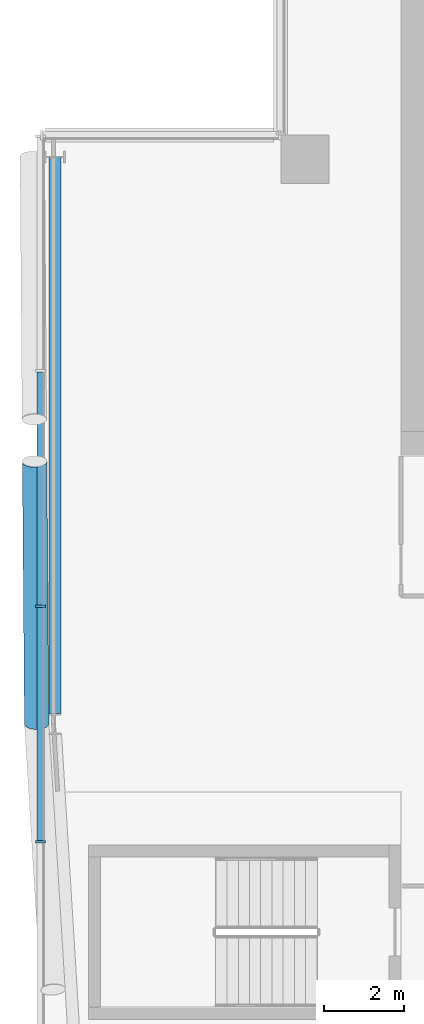
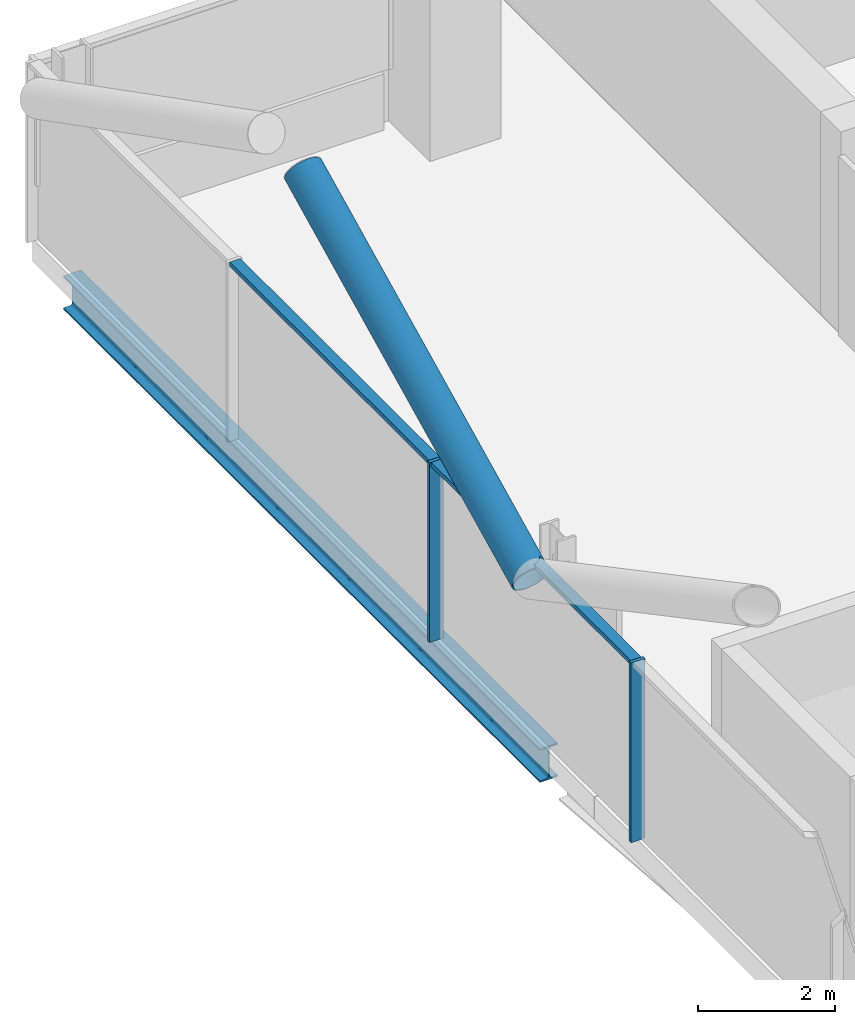
# One storey, part 7 of 27: 5 members, 1 beam, 1 element without a shape of its own.
"""IFC4 building model written with IfcOpenShell, lengths in metres."""

from ifc_helpers import new_model, si_unit, direction, frame, origin, origin_2d, place, context, subcontext, project, spatial, rectangle, hollow_circle, i_section, extrude, material, material_profile, profile_set, type_object, element, aggregate, save


model = new_model("IFC4")

# Units and contexts
model_context = context("Model", 3, precision=1e-05, world=origin(), true_north=direction((0.0, 1.0)))
body_context = subcontext(model_context, "Body", "Model", "MODEL_VIEW")
ifc_project = project(units=[si_unit("LENGTHUNIT", "METRE"), si_unit("AREAUNIT", "SQUARE_METRE"), si_unit("VOLUMEUNIT", "CUBIC_METRE"), si_unit("PLANEANGLEUNIT", "RADIAN"), si_unit("MASSUNIT", "GRAM", prefix="KILO")], contexts=[model_context])

# Site, building, storey
site_placement = place(None, origin())
site = spatial("IfcSite", under=ifc_project, at=site_placement, CompositionType="ELEMENT")
building_placement = place(site_placement, origin())
building = spatial("IfcBuilding", under=site, at=building_placement, Name="Wharfspan Tower", CompositionType="ELEMENT")
storey_placement = place(building_placement, frame((0.0, 0.0, 210.699951)))
storey = spatial("IfcBuildingStorey", under=building, at=storey_placement, Name="L52", CompositionType="ELEMENT", Elevation=210.699951)

# Beam
ifc_material_1 = material(Name="Steel S355J2", Category="steel")
ifc_material_profile_1 = material_profile(ifc_material_1, i_section(OverallWidth=0.300049, OverallDepth=0.600098, WebThickness=0.015381, FlangeThickness=0.030029, FilletRadius=0.0271, at=origin_2d()))
ifc_profile_set_1 = profile_set([ifc_material_profile_1], Name="Steel S355J2")
beam_type = type_object("IfcBeamType", Name="Edge beam HEB 600", PredefinedType="SPANDREL", material=ifc_profile_set_1)
beam_placement = place(storey_placement, frame((14.356934, 41.453125, -0.699951), z_axis=(0.000211, -1.0, 0.0), x_axis=(1.0, 0.000211, 0.0)))
element("IfcBeam", 1, at=beam_placement, inside=storey, type_object=beam_type, Name="Edge beam W L52 PNRW-H.1 to PW.1", PredefinedType="SPANDREL", context=body_context, shape_type="SweptSolid", body=[
    extrude(i_section(OverallWidth=0.300049, OverallDepth=0.600098, WebThickness=0.015381, FlangeThickness=0.030029, FilletRadius=0.0271, at=origin_2d()), origin(), (0.0, 0.0, 1.0), 13.89502),
])

# Curtain wall, members
ifc_material_2 = material(Name="Aluminium 6063-T6", Category="aluminium")
curtain_wall_type = type_object("IfcCurtainWallType", Name="CURTAIN WALL PROW AND END", PredefinedType="NOTDEFINED", material=ifc_material_2)
curtain_wall_placement = place(storey_placement, origin())
curtain_wall = element("IfcCurtainWall", 2, at=curtain_wall_placement, inside=storey, type_object=curtain_wall_type, Name="Curtain wall W", PredefinedType="NOTDEFINED")
ifc_material_profile_2 = material_profile(ifc_material_2, rectangle(XDim=0.23999, YDim=0.060059, at=origin_2d()))
ifc_profile_set_2 = profile_set([ifc_material_profile_2], Name="Aluminium 6063-T6")
member_type_1 = type_object("IfcMemberType", Name="MULLION PROW AND END 60x240", PredefinedType="MULLION", material=ifc_profile_set_2)
member_1_placement = place(storey_placement, frame((14.0, 30.23999, 0.0), z_axis=(0.0, 0.0, 1.0), x_axis=(1.0, 0.0, 0.0)))
member_1 = element("IfcMember", 3, at=member_1_placement, type_object=member_type_1, Name="Curtain wall W mullion 3", PredefinedType="MULLION", context=body_context, shape_type="SweptSolid", body=[
    extrude(rectangle(XDim=0.23999, YDim=0.060059, at=origin_2d()), origin(), (0.0, 0.0, 1.0), 3.199951),
])
member_2_placement = place(storey_placement, frame((14.0, 24.360107, 0.0), z_axis=(0.0, 0.0, 1.0), x_axis=(1.0, 0.0, 0.0)))
member_2 = element("IfcMember", 4, at=member_2_placement, type_object=member_type_1, Name="Curtain wall W mullion 4", PredefinedType="MULLION", context=body_context, shape_type="SweptSolid", body=[
    extrude(rectangle(XDim=0.23999, YDim=0.060059, at=origin_2d()), origin(), (0.0, 0.0, 1.0), 3.199951),
])

# Member
ifc_material_3 = material(Name="Steel S460NH", Category="steel")
ifc_material_profile_3 = material_profile(ifc_material_3, hollow_circle(Radius=0.304932, WallThickness=0.024902, at=origin_2d()))
ifc_profile_set_3 = profile_set([ifc_material_profile_3], Name="Steel S460NH")
member_type_2 = type_object("IfcMemberType", Name="Mega brace CHS 610x25", PredefinedType="BRACE", material=ifc_profile_set_3)
member_3_placement = place(storey_placement, frame((13.905029, 27.300049, 2.900146), z_axis=(-0.007044, 0.891361, 0.45324), x_axis=(-0.999973, -0.007904, 3e-06)))
element("IfcMember", 5, at=member_3_placement, inside=storey, type_object=member_type_2, Name="Mega brace W3 L53 part 3", PredefinedType="BRACE", context=body_context, shape_type="SweptSolid", body=[
    extrude(hollow_circle(Radius=0.304932, WallThickness=0.024902, at=origin_2d()), origin(), (0.0, 0.0, 1.0), 7.347168),
])

ifc_material_profile_4 = material_profile(ifc_material_2, rectangle(XDim=0.179932, YDim=0.080078, at=origin_2d()))
ifc_profile_set_4 = profile_set([ifc_material_profile_4], Name="Aluminium 6063-T6")
member_type_3 = type_object("IfcMemberType", Name="TRANSOM PROW AND END 80x180", PredefinedType="USERDEFINED", material=ifc_profile_set_4)
member_4_placement = place(storey_placement, frame((14.0, 36.090088, 3.160156), z_axis=(0.0, -1.0, 0.0), x_axis=(1.0, 0.0, 0.0)))
member_4 = element("IfcMember", 6, at=member_4_placement, type_object=member_type_3, Name="Curtain wall W transom 2", ObjectType="TRANSOM", PredefinedType="USERDEFINED", context=body_context, shape_type="SweptSolid", body=[
    extrude(rectangle(XDim=0.179932, YDim=0.080078, at=origin_2d()), origin(), (0.0, 0.0, 1.0), 5.820068),
])

member_5_placement = place(storey_placement, frame((14.0, 30.209961, 3.160156), z_axis=(0.0, -1.0, 0.0), x_axis=(1.0, 0.0, 0.0)))
member_5 = element("IfcMember", 7, at=member_5_placement, type_object=member_type_3, Name="Curtain wall W transom 3", ObjectType="TRANSOM", PredefinedType="USERDEFINED", context=body_context, shape_type="SweptSolid", body=[
    extrude(rectangle(XDim=0.179932, YDim=0.080078, at=origin_2d()), origin(), (0.0, 0.0, 1.0), 5.820068),
])

aggregate(curtain_wall, [member_1, member_2, member_4, member_5])

save(model, "model.ifc")
